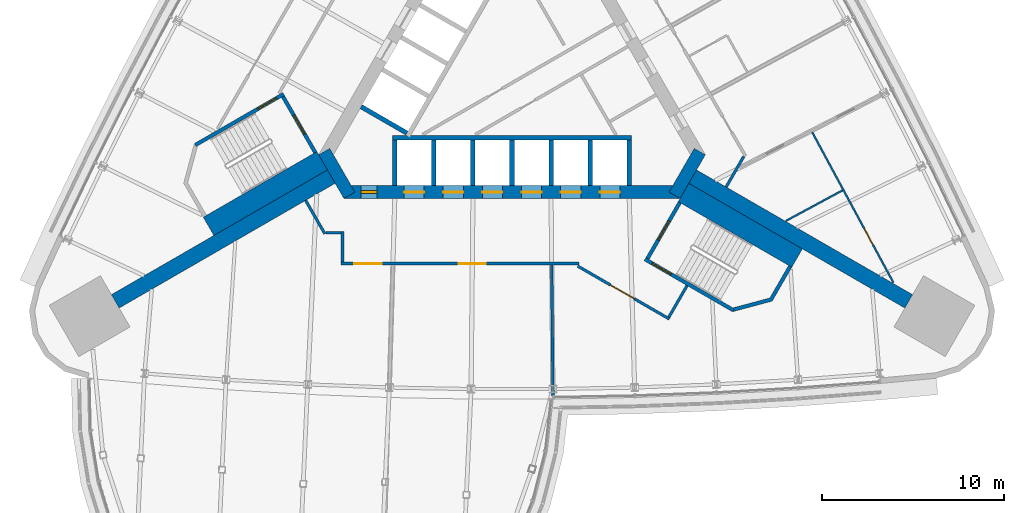
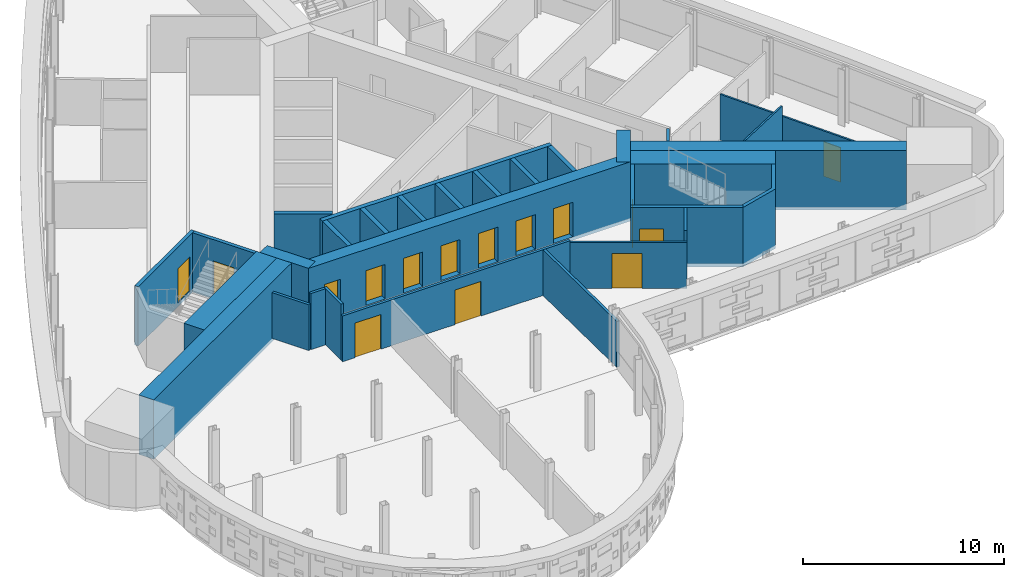
# One storey, part 10 of 16: 31 walls, 15 doors, 15 openings.
"""IFC4 building model written with IfcOpenShell, lengths in metres."""

from ifc_helpers import new_model, si_unit, direction, frame, frame_2d, origin, place, context, subcontext, project, spatial, polyline, rectangle, outline, extrude, material, layer, layer_set, type_object, element, fill, save


model = new_model("IFC4")

# Units and contexts
model_context = context("Model", 3, precision=1e-05, world=origin(), true_north=direction((0.0, 1.0)))
body_context = subcontext(model_context, "Body", "Model", "MODEL_VIEW")
ifc_project = project(units=[si_unit("LENGTHUNIT", "METRE"), si_unit("AREAUNIT", "SQUARE_METRE"), si_unit("VOLUMEUNIT", "CUBIC_METRE"), si_unit("PLANEANGLEUNIT", "RADIAN"), si_unit("MASSUNIT", "GRAM", prefix="KILO")], contexts=[model_context])

# Site, building, storey
site_placement = place(None, origin())
site = spatial("IfcSite", under=ifc_project, at=site_placement, CompositionType="ELEMENT")
building_placement = place(site_placement, origin())
building = spatial("IfcBuilding", under=site, at=building_placement, Name="Noor Cloister Tower", CompositionType="ELEMENT")
storey_placement = place(building_placement, frame((0.0, 0.0, 61.800048828125)))
storey = spatial("IfcBuildingStorey", under=building, at=storey_placement, Name="L15", CompositionType="ELEMENT", Elevation=61.800048828125)

# Walls
ifc_material_1 = material(Name="Concrete C80/95", Category="concrete")
ifc_layer_1 = layer(ifc_material_1, 0.85009765625)
ifc_layer_set_1 = layer_set([ifc_layer_1], Name="Buttress wall 850 C80/95")
wall_type_1 = type_object("IfcWallType", Name="Buttress wall 850 C80/95", PredefinedType="SHEAR", material=ifc_layer_set_1)
for number, where, z_axis, x_axis, name in (
    (1, (-9.921630859375, -5.728271484375, -0.199951171875), (0.0, 0.0, 1.0), (-0.866030067197, -0.499991922645, 0.0), "Buttress wall SW L15"),
    (2, (9.921630859375, -5.728271484375, -0.199951171875), (0.0, 0.0, 1.0), (0.866030067197, -0.499991922645, 0.0), "Buttress wall SE L15"),
):
    element("IfcWall", number, at=place(storey_placement, frame(where, z_axis=z_axis, x_axis=x_axis)), inside=storey, type_object=wall_type_1, Name=name, PredefinedType="SHEAR", context=body_context, shape_type="SweptSolid", body=[
        extrude(rectangle(XDim=13.698486328125, YDim=0.85009765625, at=frame_2d((6.84912109375, 0.0))), origin(), (0.0, 0.0, 1.0), 3.599853515625),
    ])

# Wall, openings, doors
ifc_material_2 = material(Name="Concrete C80/95", Category="concrete")
ifc_layer_2 = layer(ifc_material_2, 0.699951171875)
ifc_layer_set_2 = layer_set([ifc_layer_2], Name="Core wall 700 C80/95")
wall_type_2 = type_object("IfcWallType", Name="Core wall 700 C80/95", PredefinedType="SHEAR", material=ifc_layer_set_2)
wall_1_placement = place(storey_placement, frame((-9.228759765625, -6.578125, -0.199951171875), z_axis=(0.0, 0.0, 1.0), x_axis=(1.0, 0.0, 0.0)))
wall_1 = element("IfcWall", 3, at=wall_1_placement, inside=storey, type_object=wall_type_2, Name="Core wall L15 1", PredefinedType="SHEAR", context=body_context, shape_type="SweptSolid", body=[
    extrude(rectangle(XDim=18.45751953125, YDim=0.699951171875, at=frame_2d((9.228759765625, 0.0))), origin(), (0.0, 0.0, 1.0), 3.599853515625),
])
opening_1_placement = place(wall_1_placement, frame((3.3037109375, 0.0, 0.199951171875)))
opening_1 = element("IfcOpeningElement", 4, at=opening_1_placement, cuts=wall_1, Name="Opening L15-LR1", PredefinedType="OPENING", context=body_context, shape_type="SweptSolid", body=[
    extrude(rectangle(XDim=1.10009765625, YDim=2.10009765625, at=frame_2d((0.550048828125, 1.050048828125))), frame((0.0, 0.35986328125, 0.0), z_axis=(0.0, -1.0, 0.0), x_axis=(1.0, 0.0, 0.0)), (0.0, 0.0, 1.0), 0.719970703125),
])
opening_2_placement = place(wall_1_placement, frame((5.45361328125, 0.0, 0.199951171875)))
opening_2 = element("IfcOpeningElement", 5, at=opening_2_placement, cuts=wall_1, Name="Opening L15-LR2", PredefinedType="OPENING", context=body_context, shape_type="SweptSolid", body=[
    extrude(rectangle(XDim=1.10009765625, YDim=2.10009765625, at=frame_2d((0.550048828125, 1.050048828125))), frame((0.0, 0.35986328125, 0.0), z_axis=(0.0, -1.0, 0.0), x_axis=(1.0, 0.0, 0.0)), (0.0, 0.0, 1.0), 0.719970703125),
])
opening_3_placement = place(wall_1_placement, frame((7.603759765625, 0.0, 0.199951171875)))
opening_3 = element("IfcOpeningElement", 6, at=opening_3_placement, cuts=wall_1, Name="Opening L15-LR3", PredefinedType="OPENING", context=body_context, shape_type="SweptSolid", body=[
    extrude(rectangle(XDim=1.10009765625, YDim=2.10009765625, at=frame_2d((0.550048828125, 1.050048828125))), frame((0.0, 0.35986328125, 0.0), z_axis=(0.0, -1.0, 0.0), x_axis=(1.0, 0.0, 0.0)), (0.0, 0.0, 1.0), 0.719970703125),
])
opening_4_placement = place(wall_1_placement, frame((9.753662109375, 0.0, 0.199951171875)))
opening_4 = element("IfcOpeningElement", 7, at=opening_4_placement, cuts=wall_1, Name="Opening L15-LR4", PredefinedType="OPENING", context=body_context, shape_type="SweptSolid", body=[
    extrude(rectangle(XDim=1.10009765625, YDim=2.10009765625, at=frame_2d((0.550048828125, 1.050048828125))), frame((0.0, 0.35986328125, 0.0), z_axis=(0.0, -1.0, 0.0), x_axis=(1.0, 0.0, 0.0)), (0.0, 0.0, 1.0), 0.719970703125),
])
opening_5_placement = place(wall_1_placement, frame((11.90380859375, 0.0, 0.199951171875)))
opening_5 = element("IfcOpeningElement", 8, at=opening_5_placement, cuts=wall_1, Name="Opening L15-LR5", PredefinedType="OPENING", context=body_context, shape_type="SweptSolid", body=[
    extrude(rectangle(XDim=1.10009765625, YDim=2.10009765625, at=frame_2d((0.550048828125, 1.050048828125))), frame((0.0, 0.35986328125, 0.0), z_axis=(0.0, -1.0, 0.0), x_axis=(1.0, 0.0, 0.0)), (0.0, 0.0, 1.0), 0.719970703125),
])
opening_6_placement = place(wall_1_placement, frame((14.0537109375, 0.0, 0.199951171875)))
opening_6 = element("IfcOpeningElement", 9, at=opening_6_placement, cuts=wall_1, Name="Opening L15-LR6", PredefinedType="OPENING", context=body_context, shape_type="SweptSolid", body=[
    extrude(rectangle(XDim=1.10009765625, YDim=2.10009765625, at=frame_2d((0.550048828125, 1.050048828125))), frame((0.0, 0.35986328125, 0.0), z_axis=(0.0, -1.0, 0.0), x_axis=(1.0, 0.0, 0.0)), (0.0, 0.0, 1.0), 0.719970703125),
])
opening_7_placement = place(wall_1_placement, frame((0.92626953125, 0.0, 0.199951171875)))
opening_7 = element("IfcOpeningElement", 10, at=opening_7_placement, cuts=wall_1, Name="Opening L15-907", PredefinedType="OPENING", context=body_context, shape_type="SweptSolid", body=[
    extrude(rectangle(XDim=0.89990234375, YDim=2.10009765625, at=frame_2d((0.449951171875, 1.050048828125))), frame((0.0, 0.35986328125, 0.0), z_axis=(0.0, -1.0, 0.0), x_axis=(1.0, 0.0, 0.0)), (0.0, 0.0, 1.0), 0.719970703125),
])
ifc_material_3 = material(Name="Steel", Category="steel")
door_type_1 = type_object("IfcDoorType", Name="Core door 900 x 2100 FD60", OperationType="SINGLE_SWING_LEFT", PredefinedType="DOOR", material=ifc_material_3)
door_1_placement = place(opening_7_placement, origin())
door_1 = element("IfcDoor", 11, at=door_1_placement, inside=storey, type_object=door_type_1, Name="Core door 7 L15", OperationType="SINGLE_SWING_LEFT", OverallHeight=2.10009765625, OverallWidth=0.89990234375, PredefinedType="DOOR", context=body_context, shape_type="SweptSolid", body=[
    extrude(rectangle(XDim=0.89990234375, YDim=2.10009765625, at=frame_2d((0.449951171875, 1.050048828125))), frame((0.0, 0.074951171875, 0.0), z_axis=(0.0, -1.0, 0.0), x_axis=(1.0, 0.0, 0.0)), (0.0, 0.0, 1.0), 0.14990234375),
])
fill(opening_7, door_1)
ifc_material_4 = material(Name="Stainless steel", Category="steel")
door_type_2 = type_object("IfcDoorType", Name="Lift landing door 1100 x 2100", OperationType="DOUBLE_DOOR_SLIDING", PredefinedType="DOOR", material=ifc_material_4)
door_2_placement = place(opening_1_placement, origin())
door_2 = element("IfcDoor", 12, at=door_2_placement, inside=storey, type_object=door_type_2, Name="Landing door LR1 L15", OperationType="DOUBLE_DOOR_SLIDING", OverallHeight=2.10009765625, OverallWidth=1.10009765625, PredefinedType="DOOR", context=body_context, shape_type="SweptSolid", body=[
    extrude(rectangle(XDim=1.10009765625, YDim=2.10009765625, at=frame_2d((0.550048828125, 1.050048828125))), frame((0.0, 0.02490234375, 0.0), z_axis=(0.0, -1.0, 0.0), x_axis=(1.0, 0.0, 0.0)), (0.0, 0.0, 1.0), 0.050048828125),
])
fill(opening_1, door_2)
door_3_placement = place(opening_2_placement, origin())
door_3 = element("IfcDoor", 13, at=door_3_placement, inside=storey, type_object=door_type_2, Name="Landing door LR2 L15", OperationType="DOUBLE_DOOR_SLIDING", OverallHeight=2.10009765625, OverallWidth=1.10009765625, PredefinedType="DOOR", context=body_context, shape_type="SweptSolid", body=[
    extrude(rectangle(XDim=1.10009765625, YDim=2.10009765625, at=frame_2d((0.550048828125, 1.050048828125))), frame((0.0, 0.02490234375, 0.0), z_axis=(0.0, -1.0, 0.0), x_axis=(1.0, 0.0, 0.0)), (0.0, 0.0, 1.0), 0.050048828125),
])
fill(opening_2, door_3)
door_4_placement = place(opening_3_placement, origin())
door_4 = element("IfcDoor", 14, at=door_4_placement, inside=storey, type_object=door_type_2, Name="Landing door LR3 L15", OperationType="DOUBLE_DOOR_SLIDING", OverallHeight=2.10009765625, OverallWidth=1.10009765625, PredefinedType="DOOR", context=body_context, shape_type="SweptSolid", body=[
    extrude(rectangle(XDim=1.10009765625, YDim=2.10009765625, at=frame_2d((0.550048828125, 1.050048828125))), frame((0.0, 0.02490234375, 0.0), z_axis=(0.0, -1.0, 0.0), x_axis=(1.0, 0.0, 0.0)), (0.0, 0.0, 1.0), 0.050048828125),
])
fill(opening_3, door_4)
door_5_placement = place(opening_4_placement, origin())
door_5 = element("IfcDoor", 15, at=door_5_placement, inside=storey, type_object=door_type_2, Name="Landing door LR4 L15", OperationType="DOUBLE_DOOR_SLIDING", OverallHeight=2.10009765625, OverallWidth=1.10009765625, PredefinedType="DOOR", context=body_context, shape_type="SweptSolid", body=[
    extrude(rectangle(XDim=1.10009765625, YDim=2.10009765625, at=frame_2d((0.550048828125, 1.050048828125))), frame((0.0, 0.02490234375, 0.0), z_axis=(0.0, -1.0, 0.0), x_axis=(1.0, 0.0, 0.0)), (0.0, 0.0, 1.0), 0.050048828125),
])
fill(opening_4, door_5)
door_6_placement = place(opening_5_placement, origin())
door_6 = element("IfcDoor", 16, at=door_6_placement, inside=storey, type_object=door_type_2, Name="Landing door LR5 L15", OperationType="DOUBLE_DOOR_SLIDING", OverallHeight=2.10009765625, OverallWidth=1.10009765625, PredefinedType="DOOR", context=body_context, shape_type="SweptSolid", body=[
    extrude(rectangle(XDim=1.10009765625, YDim=2.10009765625, at=frame_2d((0.550048828125, 1.050048828125))), frame((0.0, 0.02490234375, 0.0), z_axis=(0.0, -1.0, 0.0), x_axis=(1.0, 0.0, 0.0)), (0.0, 0.0, 1.0), 0.050048828125),
])
fill(opening_5, door_6)
door_7_placement = place(opening_6_placement, origin())
door_7 = element("IfcDoor", 17, at=door_7_placement, inside=storey, type_object=door_type_2, Name="Landing door LR6 L15", OperationType="DOUBLE_DOOR_SLIDING", OverallHeight=2.10009765625, OverallWidth=1.10009765625, PredefinedType="DOOR", context=body_context, shape_type="SweptSolid", body=[
    extrude(rectangle(XDim=1.10009765625, YDim=2.10009765625, at=frame_2d((0.550048828125, 1.050048828125))), frame((0.0, 0.02490234375, 0.0), z_axis=(0.0, -1.0, 0.0), x_axis=(1.0, 0.0, 0.0)), (0.0, 0.0, 1.0), 0.050048828125),
])
fill(opening_6, door_7)

# Walls
for number, where, z_axis, x_axis, name in (
    (18, (8.925537109375, -6.753173828125, -0.199951171875), (0.0, 0.0, 1.0), (0.500042739161, 0.866000726912, 0.0), "Core wall L15 2"),
    (19, (-10.311279296875, -4.353271484375, -0.199951171875), (0.0, 0.0, 1.0), (0.500042739161, -0.866000726912, 0.0), "Core wall L15 6"),
):
    element("IfcWall", number, at=place(storey_placement, frame(where, z_axis=z_axis, x_axis=x_axis)), inside=storey, type_object=wall_type_2, Name=name, PredefinedType="SHEAR", context=body_context, shape_type="SweptSolid", body=[
        extrude(rectangle(XDim=2.771240234375, YDim=0.699951171875, at=frame_2d((1.3857421875, 0.0))), origin(), (0.0, 0.0, 1.0), 3.599853515625),
    ])

# Wall, openings, doors
ifc_material_5 = material(Name="Gypsum board partition on steel studs, 150 mm", Category="steel")
ifc_layer_3 = layer(ifc_material_5, 0.14990234375)
ifc_layer_set_3 = layer_set([ifc_layer_3], Name="Flat wall 150")
wall_type_3 = type_object("IfcWallType", Name="Flat wall 150", PredefinedType="PARTITIONING", material=ifc_layer_set_3)
wall_2_placement = place(storey_placement, frame((3.68896484375, -10.503173828125, 0.0), z_axis=(0.0, 0.0, 1.0), x_axis=(-1.0, 0.0, 0.0)))
wall_2 = element("IfcWall", 20, at=wall_2_placement, inside=storey, type_object=wall_type_3, Name="Flat wall 150 L15 004", PredefinedType="PARTITIONING", context=body_context, shape_type="SweptSolid", body=[
    extrude(rectangle(XDim=13.067626953125, YDim=0.14990234375, at=frame_2d((6.53369140625, 0.0))), origin(), (0.0, 0.0, 1.0), 2.77783203125),
])
opening_8_placement = place(wall_2_placement, frame((10.851806640625, 0.0, 0.0)))
opening_8 = element("IfcOpeningElement", 21, at=opening_8_placement, cuts=wall_2, Name="Opening L15-009", PredefinedType="OPENING", context=body_context, shape_type="SweptSolid", body=[
    extrude(rectangle(XDim=1.5, YDim=2.10009765625, at=frame_2d((0.75, 1.050048828125))), frame((0.0, 0.0849609375, 0.0), z_axis=(0.0, -1.0, 0.0), x_axis=(1.0, 0.0, 0.0)), (0.0, 0.0, 1.0), 0.169921875),
])
opening_9_placement = place(wall_2_placement, frame((5.119384765625, 0.0, 0.0)))
opening_9 = element("IfcOpeningElement", 22, at=opening_9_placement, cuts=wall_2, Name="Opening L15-010", PredefinedType="OPENING", context=body_context, shape_type="SweptSolid", body=[
    extrude(rectangle(XDim=1.5, YDim=2.10009765625, at=frame_2d((0.75, 1.050048828125))), frame((0.0, 0.0849609375, 0.0), z_axis=(0.0, -1.0, 0.0), x_axis=(1.0, 0.0, 0.0)), (0.0, 0.0, 1.0), 0.169921875),
])
ifc_material_6 = material(Name="Timber door leaf with steel frame", Category="steel")
door_type_3 = type_object("IfcDoorType", Name="Double door 1500 FD60", OperationType="NOTDEFINED", PredefinedType="DOOR", material=ifc_material_6)
door_8_placement = place(opening_8_placement, origin())
door_8 = element("IfcDoor", 23, at=door_8_placement, inside=storey, type_object=door_type_3, Name="Double door 1500 L15-009", OperationType="DOUBLE_DOOR_SINGLE_SWING", OverallHeight=2.10009765625, OverallWidth=1.5, PredefinedType="DOOR", context=body_context, shape_type="SweptSolid", body=[
    extrude(rectangle(XDim=1.5, YDim=2.10009765625, at=frame_2d((0.75, 1.050048828125))), frame((0.0, 0.02490234375, 0.0), z_axis=(0.0, -1.0, 0.0), x_axis=(1.0, 0.0, 0.0)), (0.0, 0.0, 1.0), 0.050048828125),
])
fill(opening_8, door_8)
door_9_placement = place(opening_9_placement, origin())
door_9 = element("IfcDoor", 24, at=door_9_placement, inside=storey, type_object=door_type_3, Name="Double door 1500 L15-010", OperationType="DOUBLE_DOOR_SINGLE_SWING", OverallHeight=2.10009765625, OverallWidth=1.5, PredefinedType="DOOR", context=body_context, shape_type="SweptSolid", body=[
    extrude(rectangle(XDim=1.5, YDim=2.10009765625, at=frame_2d((0.75, 1.050048828125))), frame((0.0, 0.02490234375, 0.0), z_axis=(0.0, -1.0, 0.0), x_axis=(1.0, 0.0, 0.0)), (0.0, 0.0, 1.0), 0.050048828125),
])
fill(opening_9, door_9)

# Wall, opening, door
wall_3_placement = place(storey_placement, frame((8.64111328125, -13.5458984375, 0.0), z_axis=(0.0, 0.0, 1.0), x_axis=(-0.866042728627, 0.499969991291, 0.0)))
wall_3 = element("IfcWall", 25, at=wall_3_placement, inside=storey, type_object=wall_type_3, Name="Flat wall 150 L15 005", PredefinedType="PARTITIONING", context=body_context, shape_type="SweptSolid", body=[
    extrude(rectangle(XDim=5.805419921875, YDim=0.14990234375, at=frame_2d((2.90283203125, 0.0))), origin(), (0.0, 0.0, 1.0), 2.77783203125),
])
opening_10_placement = place(wall_3_placement, frame((2.22509765625, 0.0, 0.0)))
opening_10 = element("IfcOpeningElement", 26, at=opening_10_placement, cuts=wall_3, Name="Opening L15-011", PredefinedType="OPENING", context=body_context, shape_type="SweptSolid", body=[
    extrude(rectangle(XDim=1.5, YDim=2.10009765625, at=frame_2d((0.75, 1.050048828125))), frame((0.0, 0.0849609375, 0.0), z_axis=(0.0, -1.0, 0.0), x_axis=(1.0, 0.0, 0.0)), (0.0, 0.0, 1.0), 0.169921875),
])
door_10_placement = place(opening_10_placement, origin())
door_10 = element("IfcDoor", 27, at=door_10_placement, inside=storey, type_object=door_type_3, Name="Double door 1500 L15-011", OperationType="DOUBLE_DOOR_SINGLE_SWING", OverallHeight=2.10009765625, OverallWidth=1.5, PredefinedType="DOOR", context=body_context, shape_type="SweptSolid", body=[
    extrude(rectangle(XDim=1.5, YDim=2.10009765625, at=frame_2d((0.75, 1.050048828125))), frame((0.0, 0.02490234375, 0.0), z_axis=(0.0, -1.0, 0.0), x_axis=(1.0, 0.0, 0.0)), (0.0, 0.0, 1.0), 0.050048828125),
])
fill(opening_10, door_10)

# Walls
wall_4_placement = place(storey_placement, frame((8.613525390625, -13.443603515625, 0.0), z_axis=(0.0, 0.0, 1.0), x_axis=(0.499972520799, 0.866041268327, 0.0)))
element("IfcWall", 28, at=wall_4_placement, inside=storey, type_object=wall_type_3, Name="Flat wall 150 L15 010", PredefinedType="PARTITIONING", context=body_context, shape_type="SweptSolid", body=[
    extrude(rectangle(XDim=2.0, YDim=0.14990234375, at=frame_2d((1.0, 0.0))), origin(), (0.0, 0.0, 1.0), 3.39990234375),
])
wall_5_placement = place(storey_placement, frame((-11.332763671875, -7.03369140625, 0.0), z_axis=(0.0, 0.0, 1.0), x_axis=(0.499981853705, -0.866035880299, 0.0)))
element("IfcWall", 29, at=wall_5_placement, inside=storey, type_object=wall_type_3, Name="Flat wall 150 L15 011", PredefinedType="PARTITIONING", context=body_context, shape_type="SweptSolid", body=[
    extrude(rectangle(XDim=2.1181640625, YDim=0.14990234375, at=frame_2d((1.05908203125, 0.0))), origin(), (0.0, 0.0, 1.0), 2.77783203125),
])
wall_6_placement = place(storey_placement, frame((11.7578125, -6.297607421875, 0.0), z_axis=(0.0, 0.0, 1.0), x_axis=(0.500049131089, 0.865997036079, 0.0)))
element("IfcWall", 30, at=wall_6_placement, inside=storey, type_object=wall_type_3, Name="Flat wall 150 L15 012", PredefinedType="PARTITIONING", context=body_context, shape_type="SweptSolid", body=[
    extrude(rectangle(XDim=1.940673828125, YDim=0.14990234375, at=frame_2d((0.97021484375, 0.0))), origin(), (0.0, 0.0, 1.0), 2.77783203125),
])
wall_7_placement = place(storey_placement, frame((-9.3037109375, -10.42822265625, 0.0), z_axis=(0.0, 0.0, 1.0), x_axis=(0.0, 1.0, 0.0)))
element("IfcWall", 31, at=wall_7_placement, inside=storey, type_object=wall_type_3, Name="Flat wall 150 L15 014", PredefinedType="PARTITIONING", context=body_context, shape_type="SweptSolid", body=[
    extrude(rectangle(XDim=1.699951171875, YDim=0.14990234375, at=frame_2d((0.85009765625, 0.0))), origin(), (0.0, 0.0, 1.0), 3.39990234375),
])
wall_8_placement = place(storey_placement, frame((-10.208740234375, -8.80322265625, 0.0), z_axis=(0.0, 0.0, 1.0), x_axis=(1.0, 0.0, 0.0)))
element("IfcWall", 32, at=wall_8_placement, inside=storey, type_object=wall_type_3, Name="Flat wall 150 L15 015", PredefinedType="PARTITIONING", context=body_context, shape_type="SweptSolid", body=[
    extrude(rectangle(XDim=0.830078125, YDim=0.14990234375, at=frame_2d((0.4150390625, 0.0))), origin(), (0.0, 0.0, 1.0), 3.39990234375),
])
wall_9_placement = place(storey_placement, frame((2.248291015625, -17.7841796875, 0.0), z_axis=(0.0, 0.0, 1.0), x_axis=(-0.009520796395, 0.999954676191, 0.0)))
element("IfcWall", 33, at=wall_9_placement, inside=storey, type_object=wall_type_3, Name="Flat wall 150 L15 020", PredefinedType="PARTITIONING", context=body_context, shape_type="SweptSolid", body=[
    extrude(rectangle(XDim=7.20556640625, YDim=0.14990234375, at=frame_2d((3.602783203125, 0.0))), origin(), (0.0, 0.0, 1.0), 2.77783203125),
])

# Wall, opening, door
ifc_material_7 = material(Name="Gypsum board partition on steel studs, 100 mm", Category="steel")
ifc_layer_4 = layer(ifc_material_7, 0.10009765625)
ifc_layer_set_4 = layer_set([ifc_layer_4], Name="Partition 100")
wall_type_4 = type_object("IfcWallType", Name="Partition 100", PredefinedType="PARTITIONING", material=ifc_layer_set_4)
wall_10_placement = place(storey_placement, frame((20.944091796875, -11.552001953125, 0.0), z_axis=(0.0, 0.0, 1.0), x_axis=(-0.475001956127, 0.879984739456, 0.0)))
wall_10 = element("IfcWall", 34, at=wall_10_placement, inside=storey, type_object=wall_type_4, Name="Partition 100 L15 023", PredefinedType="PARTITIONING", context=body_context, shape_type="SweptSolid", body=[
    extrude(rectangle(XDim=9.389892578125, YDim=0.10009765625, at=frame_2d((4.69482421875, 0.0))), origin(), (0.0, 0.0, 1.0), 2.77783203125),
])
opening_11_placement = place(wall_10_placement, frame((2.369873046875, 0.0, 0.0)))
opening_11 = element("IfcOpeningElement", 35, at=opening_11_placement, cuts=wall_10, Name="Opening L15-014", PredefinedType="OPENING", context=body_context, shape_type="SweptSolid", body=[
    extrude(rectangle(XDim=1.0, YDim=2.10009765625, at=frame_2d((0.5, 1.050048828125))), frame((0.0, 0.06005859375, 0.0), z_axis=(0.0, -1.0, 0.0), x_axis=(1.0, 0.0, 0.0)), (0.0, 0.0, 1.0), 0.1201171875),
])
ifc_material_8 = material(Name="Timber door leaf with steel frame", Category="steel")
door_type_4 = type_object("IfcDoorType", Name="Interior door 1000", OperationType="NOTDEFINED", PredefinedType="DOOR", material=ifc_material_8)
door_11_placement = place(opening_11_placement, origin())
door_11 = element("IfcDoor", 36, at=door_11_placement, inside=storey, type_object=door_type_4, Name="Interior door 1000 L15-014", OperationType="SINGLE_SWING_LEFT", OverallHeight=2.10009765625, OverallWidth=1.0, PredefinedType="DOOR", context=body_context, shape_type="SweptSolid", body=[
    extrude(rectangle(XDim=1.0, YDim=2.10009765625, at=frame_2d((0.5, 1.050048828125))), frame((0.0, 0.02490234375, 0.0), z_axis=(0.0, -1.0, 0.0), x_axis=(1.0, 0.0, 0.0)), (0.0, 0.0, 1.0), 0.050048828125),
])
fill(opening_11, door_11)

# Walls
wall_11_placement = place(storey_placement, frame((18.14990234375, -6.480712890625, 0.0), z_axis=(0.0, 0.0, 1.0), x_axis=(-0.879976377599, -0.475017446909, 0.0)))
element("IfcWall", 37, at=wall_11_placement, inside=storey, type_object=wall_type_4, Name="Partition 100 L15 028", PredefinedType="PARTITIONING", context=body_context, shape_type="SweptSolid", body=[
    extrude(rectangle(XDim=3.537109375, YDim=0.10009765625, at=frame_2d((1.7685546875, 0.0))), origin(), (0.0, 0.0, 1.0), 3.39990234375),
])
ifc_material_9 = material(Name="Concrete C80/95", Category="concrete")
ifc_layer_5 = layer(ifc_material_9, 0.25)
ifc_layer_set_5 = layer_set([ifc_layer_5], Name="Shaft wall 250 C80/95")
wall_type_5 = type_object("IfcWallType", Name="Shaft wall 250 C80/95", PredefinedType="PARTITIONING", material=ifc_layer_set_5)
for number, where, z_axis, x_axis, name in (
    (38, (-6.449951171875, -6.228271484375, -0.199951171875), (0.0, 0.0, 1.0), (0.0, 1.0, 0.0), "Lift shaft wall L15 S 1"),
    (39, (-4.300048828125, -6.228271484375, -0.199951171875), (0.0, 0.0, 1.0), (0.0, 1.0, 0.0), "Lift shaft wall L15 S 2"),
    (40, (-2.14990234375, -6.228271484375, -0.199951171875), (0.0, 0.0, 1.0), (0.0, 1.0, 0.0), "Lift shaft wall L15 S 3"),
    (41, (0.0, -6.228271484375, -0.199951171875), (0.0, 0.0, 1.0), (0.0, 1.0, 0.0), "Lift shaft wall L15 S 4"),
    (42, (2.14990234375, -6.228271484375, -0.199951171875), (0.0, 0.0, 1.0), (0.0, 1.0, 0.0), "Lift shaft wall L15 S 5"),
    (43, (4.300048828125, -6.228271484375, -0.199951171875), (0.0, 0.0, 1.0), (0.0, 1.0, 0.0), "Lift shaft wall L15 S 6"),
    (44, (6.449951171875, -6.228271484375, -0.199951171875), (0.0, 0.0, 1.0), (0.0, 1.0, 0.0), "Lift shaft wall L15 S 7"),
):
    element("IfcWall", number, at=place(storey_placement, frame(where, z_axis=z_axis, x_axis=x_axis)), inside=storey, type_object=wall_type_5, Name=name, PredefinedType="PARTITIONING", context=body_context, shape_type="SweptSolid", body=[
        extrude(rectangle(XDim=2.5, YDim=0.25, at=frame_2d((1.25, 0.0))), origin(), (0.0, 0.0, 1.0), 3.599853515625),
    ])
wall_12_placement = place(storey_placement, frame((-6.574951171875, -3.603271484375, 0.0), z_axis=(0.0, 0.0, 1.0), x_axis=(1.0, 0.0, 0.0)))
element("IfcWall", 45, at=wall_12_placement, inside=storey, type_object=wall_type_5, Name="Lift shaft back wall L15 S", PredefinedType="PARTITIONING", context=body_context, shape_type="SweptSolid", body=[
    extrude(rectangle(XDim=13.14990234375, YDim=0.25, at=frame_2d((6.574951171875, 0.0))), origin(), (0.0, 0.0, 1.0), 3.39990234375),
])
wall_13_placement = place(storey_placement, frame((-8.28125, -1.88720703125, -0.199951171875), z_axis=(0.0, 0.0, 1.0), x_axis=(0.866032775405, -0.499987231761, 0.0)))
element("IfcWall", 46, at=wall_13_placement, inside=storey, type_object=wall_type_5, Name="Lift shaft wall L15 NW 6", PredefinedType="PARTITIONING", context=body_context, shape_type="SweptSolid", body=[
    extrude(rectangle(XDim=2.89990234375, YDim=0.25, at=frame_2d((1.449951171875, 0.0))), origin(), (0.0, 0.0, 1.0), 3.599853515625),
])
ifc_material_10 = material(Name="Concrete C80/95", Category="concrete")
ifc_layer_6 = layer(ifc_material_10, 1.160888671875)
ifc_layer_set_6 = layer_set([ifc_layer_6], Name="Stair enclosure wall 1161 C80/95")
wall_type_6 = type_object("IfcWallType", Name="Stair enclosure wall 1161 C80/95", PredefinedType="SHEAR", material=ifc_layer_set_6)
for number, where, z_axis, x_axis, name in (
    (47, (-10.42431640625, -4.857666015625, -0.199951171875), (0.0, 0.0, 1.0), (-0.866033125095, -0.499986626058, 0.0), "Stair enclosure wall ST2 L15 riser side"),
    (48, (9.4189453125, -6.598876953125, -0.199951171875), (0.0, 0.0, 1.0), (0.866033125095, -0.499986626058, 0.0), "Stair enclosure wall ST3 L15 riser side"),
):
    element("IfcWall", number, at=place(storey_placement, frame(where, z_axis=z_axis, x_axis=x_axis)), inside=storey, type_object=wall_type_6, Name=name, PredefinedType="SHEAR", context=body_context, shape_type="SweptSolid", body=[
        extrude(rectangle(XDim=7.199951171875, YDim=1.16064453125, at=frame_2d((3.60009765625, 0.0))), origin(), (0.0, 0.0, 1.0), 3.599853515625),
    ])

# Wall, opening, door
ifc_material_11 = material(Name="Concrete C80/95", Category="concrete")
ifc_layer_7 = layer(ifc_material_11, 0.199951171875)
ifc_layer_set_7 = layer_set([ifc_layer_7], Name="Stair enclosure wall 200 C80/95")
wall_type_7 = type_object("IfcWallType", Name="Stair enclosure wall 200 C80/95", PredefinedType="SHEAR", material=ifc_layer_set_7)
wall_14_placement = place(storey_placement, frame((-12.575927734375, -1.33056640625, -0.199951171875), z_axis=(0.0, 0.0, 1.0), x_axis=(0.499970499736, -0.8660424351, 0.0)))
wall_14 = element("IfcWall", 49, at=wall_14_placement, inside=storey, type_object=wall_type_7, Name="Stair enclosure wall ST2 L15 near end", PredefinedType="SHEAR", context=body_context, shape_type="SweptSolid", body=[
    extrude(rectangle(XDim=3.550048828125, YDim=0.199951171875, at=frame_2d((1.77490234375, 0.0))), origin(), (0.0, 0.0, 1.0), 3.599853515625),
])
opening_12_placement = place(wall_14_placement, frame((1.175048828125, 0.0, 0.199951171875)))
opening_12 = element("IfcOpeningElement", 50, at=opening_12_placement, cuts=wall_14, Name="Opening L15-ST2L", PredefinedType="OPENING", context=body_context, shape_type="SweptSolid", body=[
    extrude(rectangle(XDim=1.199951171875, YDim=2.10009765625, at=frame_2d((0.60009765625, 1.050048828125))), frame((0.0, 0.10986328125, 0.0), z_axis=(0.0, -1.0, 0.0), x_axis=(1.0, 0.0, 0.0)), (0.0, 0.0, 1.0), 0.219970703125),
])
ifc_material_12 = material(Name="Steel", Category="steel")
door_type_5 = type_object("IfcDoorType", Name="Stair door 1200 x 2100 FD120", OperationType="SINGLE_SWING_LEFT", PredefinedType="DOOR", material=ifc_material_12)
door_12_placement = place(opening_12_placement, origin())
door_12 = element("IfcDoor", 51, at=door_12_placement, inside=storey, type_object=door_type_5, Name="Stair door ST2 L15", OperationType="SINGLE_SWING_RIGHT", OverallHeight=2.10009765625, OverallWidth=1.199951171875, PredefinedType="DOOR", context=body_context, shape_type="SweptSolid", body=[
    extrude(rectangle(XDim=1.199951171875, YDim=2.10009765625, at=frame_2d((0.60009765625, 1.050048828125))), frame((0.0, 0.02490234375, 0.0), z_axis=(0.0, -1.0, 0.0), x_axis=(1.0, 0.0, 0.0)), (0.0, 0.0, 1.0), 0.050048828125),
])
fill(opening_12, door_12)

wall_15_placement = place(storey_placement, frame((-12.539306640625, -1.194091796875, -0.199951171875), z_axis=(0.0, 0.0, 1.0), x_axis=(-0.866045472092, -0.499965239061, 0.0)))
wall_15 = element("IfcWall", 52, at=wall_15_placement, inside=storey, type_object=wall_type_7, Name="Stair enclosure wall ST2 L15 outer side", PredefinedType="SHEAR", context=body_context, shape_type="SweptSolid", body=[
    extrude(rectangle(XDim=5.60009765625, YDim=0.199951171875, at=frame_2d((2.800048828125, 0.0))), origin(), (0.0, 0.0, 1.0), 3.599853515625),
])
opening_13_placement = place(wall_15_placement, frame((0.449951171875, 0.0, 0.199951171875)))
opening_13 = element("IfcOpeningElement", 53, at=opening_13_placement, cuts=wall_15, Name="Opening L15-ST2C", PredefinedType="OPENING", context=body_context, shape_type="SweptSolid", body=[
    extrude(rectangle(XDim=1.199951171875, YDim=2.10009765625, at=frame_2d((0.60009765625, 1.050048828125))), frame((0.0, 0.10986328125, 0.0), z_axis=(0.0, -1.0, 0.0), x_axis=(1.0, 0.0, 0.0)), (0.0, 0.0, 1.0), 0.219970703125),
])
door_13_placement = place(opening_13_placement, origin())
door_13 = element("IfcDoor", 54, at=door_13_placement, inside=storey, type_object=door_type_5, Name="Stair door ST2 L15", OperationType="SINGLE_SWING_LEFT", OverallHeight=2.10009765625, OverallWidth=1.199951171875, PredefinedType="DOOR", context=body_context, shape_type="SweptSolid", body=[
    extrude(rectangle(XDim=1.199951171875, YDim=2.10009765625, at=frame_2d((0.60009765625, 1.050048828125))), frame((0.0, 0.02490234375, 0.0), z_axis=(0.0, -1.0, 0.0), x_axis=(1.0, 0.0, 0.0)), (0.0, 0.0, 1.0), 0.050048828125),
])
fill(opening_13, door_13)

wall_16_placement = place(storey_placement, frame((7.440185546875, -10.225830078125, -0.199951171875), z_axis=(0.0, 0.0, 1.0), x_axis=(0.500022077904, 0.866012656725, 0.0)))
wall_16 = element("IfcWall", 55, at=wall_16_placement, inside=storey, type_object=wall_type_7, Name="Stair enclosure wall ST3 L15 near end", PredefinedType="SHEAR", context=body_context, shape_type="SweptSolid", body=[
    extrude(rectangle(XDim=3.550048828125, YDim=0.199951171875, at=frame_2d((1.77490234375, 0.0))), origin(), (0.0, 0.0, 1.0), 3.599853515625),
])
opening_14_placement = place(wall_16_placement, frame((1.175048828125, 0.0, 0.199951171875)))
opening_14 = element("IfcOpeningElement", 56, at=opening_14_placement, cuts=wall_16, Name="Opening L15-ST3L", PredefinedType="OPENING", context=body_context, shape_type="SweptSolid", body=[
    extrude(rectangle(XDim=1.199951171875, YDim=2.10009765625, at=frame_2d((0.60009765625, 1.050048828125))), frame((0.0, 0.10986328125, 0.0), z_axis=(0.0, -1.0, 0.0), x_axis=(1.0, 0.0, 0.0)), (0.0, 0.0, 1.0), 0.219970703125),
])
door_14_placement = place(opening_14_placement, origin())
door_14 = element("IfcDoor", 57, at=door_14_placement, inside=storey, type_object=door_type_5, Name="Stair door ST3 L15", OperationType="SINGLE_SWING_RIGHT", OverallHeight=2.10009765625, OverallWidth=1.199951171875, PredefinedType="DOOR", context=body_context, shape_type="SweptSolid", body=[
    extrude(rectangle(XDim=1.199951171875, YDim=2.10009765625, at=frame_2d((0.60009765625, 1.050048828125))), frame((0.0, 0.02490234375, 0.0), z_axis=(0.0, -1.0, 0.0), x_axis=(1.0, 0.0, 0.0)), (0.0, 0.0, 1.0), 0.050048828125),
])
fill(opening_14, door_14)

wall_17_placement = place(storey_placement, frame((7.3037109375, -10.262451171875, -0.199951171875), z_axis=(0.0, 0.0, 1.0), x_axis=(0.866026594901, -0.49999793692, 0.0)))
wall_17 = element("IfcWall", 58, at=wall_17_placement, inside=storey, type_object=wall_type_7, Name="Stair enclosure wall ST3 L15 outer side", PredefinedType="SHEAR", context=body_context, shape_type="SweptSolid", body=[
    extrude(rectangle(XDim=5.60009765625, YDim=0.199951171875, at=frame_2d((2.800048828125, 0.0))), origin(), (0.0, 0.0, 1.0), 3.599853515625),
])
opening_15_placement = place(wall_17_placement, frame((0.449951171875, 0.0, 0.199951171875)))
opening_15 = element("IfcOpeningElement", 59, at=opening_15_placement, cuts=wall_17, Name="Opening L15-ST3C", PredefinedType="OPENING", context=body_context, shape_type="SweptSolid", body=[
    extrude(rectangle(XDim=1.199951171875, YDim=2.10009765625, at=frame_2d((0.60009765625, 1.050048828125))), frame((0.0, 0.10986328125, 0.0), z_axis=(0.0, -1.0, 0.0), x_axis=(1.0, 0.0, 0.0)), (0.0, 0.0, 1.0), 0.219970703125),
])
door_15_placement = place(opening_15_placement, origin())
door_15 = element("IfcDoor", 60, at=door_15_placement, inside=storey, type_object=door_type_5, Name="Stair door ST3 L15", OperationType="SINGLE_SWING_LEFT", OverallHeight=2.10009765625, OverallWidth=1.199951171875, PredefinedType="DOOR", context=body_context, shape_type="SweptSolid", body=[
    extrude(rectangle(XDim=1.199951171875, YDim=2.10009765625, at=frame_2d((0.60009765625, 1.050048828125))), frame((0.0, 0.02490234375, 0.0), z_axis=(0.0, -1.0, 0.0), x_axis=(1.0, 0.0, 0.0)), (0.0, 0.0, 1.0), 0.050048828125),
])
fill(opening_15, door_15)

# Wall
ifc_material_13 = material(Name="Concrete C80/95", Category="concrete")
wall_type_8 = type_object("IfcWallType", Name="Stair far end wall C80/95", PredefinedType="SHEAR", material=ifc_material_13)
wall_18_placement = place(storey_placement, frame((0.0, 0.0, -0.199951171875)))
element("IfcWall", 61, at=wall_18_placement, inside=storey, type_object=wall_type_8, Name="Stair enclosure wall ST3 L15 far end", PredefinedType="SHEAR", context=body_context, shape_type="SweptSolid", body=[
    extrude(outline(polyline([(12.103515625, -13.14892578125), (14.2890625, -12.5634765625), (15.364013671875, -10.701416015625), (15.19091796875, -10.601318359375), (14.1572265625, -12.3916015625), (12.131591796875, -12.934326171875), (12.20361328125, -12.975830078125), (12.20361328125, -12.975830078125), (12.20361328125, -12.975830078125), (12.20361328125, -12.975830078125), (12.20361328125, -12.975830078125), (12.20361328125, -12.975830078125), (12.20361328125, -12.975830078125), (12.20361328125, -12.975830078125), (12.20361328125, -12.975830078125), (12.20361328125, -12.975830078125), (12.20361328125, -12.975830078125), (12.20361328125, -12.975830078125), (12.20361328125, -12.975830078125), (12.20361328125, -12.975830078125), (12.20361328125, -12.975830078125), (12.20361328125, -12.975830078125), (12.20361328125, -12.975830078125), (12.103515625, -13.14892578125)])), origin(), (0.0, 0.0, 1.0), 3.599853515625),
])

save(model, "model.ifc")
